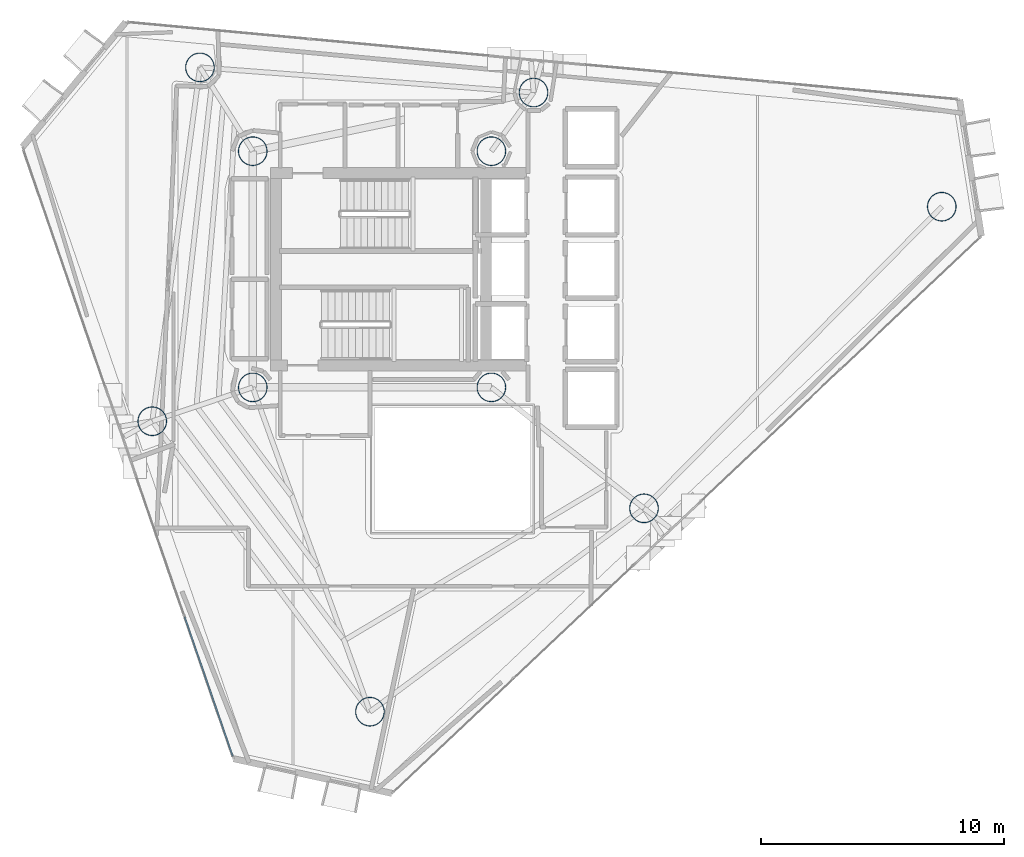
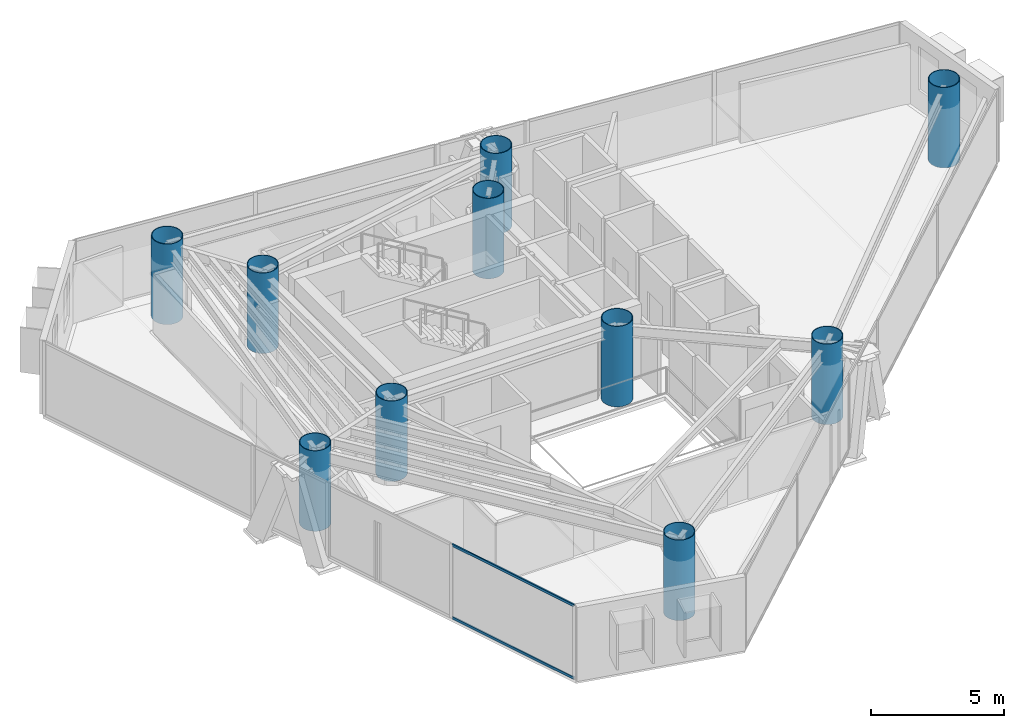
# One storey, part 1 of 20: 10 columns, 2 members, 1 element without a shape of its own.
"""IFC4 building model written with IfcOpenShell, lengths in metres."""

from ifc_helpers import new_model, si_unit, direction, frame, origin, origin_2d, place, context, subcontext, project, spatial, hollow_rectangle, hollow_circle, extrude, material, layer, layer_set, material_profile, profile_set, type_object, element, aggregate, save


model = new_model("IFC4")

# Units and contexts
model_context = context("Model", 3, precision=1e-05, world=origin(), true_north=direction((0.0, 1.0)))
body_context = subcontext(model_context, "Body", "Model", "MODEL_VIEW")
ifc_project = project(units=[si_unit("LENGTHUNIT", "METRE"), si_unit("AREAUNIT", "SQUARE_METRE"), si_unit("VOLUMEUNIT", "CUBIC_METRE"), si_unit("PLANEANGLEUNIT", "RADIAN"), si_unit("MASSUNIT", "GRAM", prefix="KILO")], contexts=[model_context])

# Site, building, storey
site_placement = place(None, origin())
site = spatial("IfcSite", under=ifc_project, at=site_placement, CompositionType="ELEMENT")
building_placement = place(site_placement, origin())
building = spatial("IfcBuilding", under=site, at=building_placement, Name="Qianvela Tower", CompositionType="ELEMENT")
storey_placement = place(building_placement, frame((0.0, 0.0, 226.199951171875)))
storey = spatial("IfcBuildingStorey", under=building, at=storey_placement, Name="L58", CompositionType="ELEMENT", Elevation=226.199951171875)

# Columns
ifc_material_1 = material(Name="Steel Q420GJC", Category="steel")
ifc_material_profile_1 = material_profile(ifc_material_1, hollow_circle(Radius=0.60009765625, WallThickness=0.030029296875, at=origin_2d()), Name="CFT-1200x30")
ifc_profile_set_1 = profile_set([ifc_material_profile_1], Name="Steel Q420GJC")
column_type = type_object("IfcColumnType", Name="COL-CFT-1200x30", PredefinedType="COLUMN", material=ifc_profile_set_1)
for number, where, z_axis, x_axis, name in (
    (1, (28.60009765625, 33.550048828125, 0.0), (0.0, 0.0, 1.0), (1.0, 0.0, 0.0), "L58 Core Corner Mega-Column CC-NW"),
    (2, (28.60009765625, 23.85009765625, 0.0), (0.0, 0.0, 1.0), (1.0, 0.0, 0.0), "L58 Core Corner Mega-Column CC-SW"),
    (3, (38.39990234375, 33.550048828125, 0.0), (0.0, 0.0, 1.0), (1.0, 0.0, 0.0), "L58 Core Corner Mega-Column CC-NE"),
    (4, (38.39990234375, 23.85009765625, 0.0), (0.0, 0.0, 1.0), (1.0, 0.0, 0.0), "L58 Core Corner Mega-Column CC-SE"),
    (5, (56.89697265625, 31.27001953125, 0.0), (0.0, 0.0, 1.0), (1.0, 0.0, 0.0), "L58 Zone Z5 CFT Mega-Column C1"),
    (6, (40.131103515625, 35.9580078125, 0.0), (0.0, 0.0, 1.0), (1.0, 0.0, 0.0), "L58 Zone Z5 CFT Mega-Column C2"),
    (7, (26.430908203125, 36.991943359375, 0.0), (0.0, 0.0, 1.0), (1.0, 0.0, 0.0), "L58 Zone Z5 CFT Mega-Column C3"),
    (8, (24.471923828125, 22.4599609375, 0.0), (0.0, 0.0, 1.0), (1.0, 0.0, 0.0), "L58 Zone Z5 CFT Mega-Column C4"),
    (9, (33.4130859375, 10.531005859375, 0.0), (0.0, 0.0, 1.0), (1.0, 0.0, 0.0), "L58 Zone Z5 CFT Mega-Column C5"),
    (10, (44.6669921875, 18.883056640625, 0.0), (0.0, 0.0, 1.0), (1.0, 0.0, 0.0), "L58 Zone Z5 CFT Mega-Column C6"),
):
    element("IfcColumn", number, at=place(storey_placement, frame(where, z_axis=z_axis, x_axis=x_axis)), inside=storey, type_object=column_type, Name=name, PredefinedType="COLUMN", context=body_context, shape_type="SweptSolid", body=[
        extrude(hollow_circle(Radius=0.60009765625, WallThickness=0.030029296875, at=origin_2d()), origin(), (0.0, 0.0, 1.0), 3.699951171875),
    ])

# Curtain wall, members
ifc_material_2 = material(Name="Anodised Architectural Aluminium and Low-E Glass", Category="aluminium")
ifc_layer = layer(ifc_material_2, 0.159912109375)
ifc_layer_set = layer_set([ifc_layer], Name="Anodised Architectural Aluminium and Low-E Glass")
curtain_wall_type = type_object("IfcCurtainWallType", Name="CW-COLIV-Z56", PredefinedType="USERDEFINED", material=ifc_layer_set)
curtain_wall_placement = place(storey_placement, origin())
curtain_wall = element("IfcCurtainWall", 11, at=curtain_wall_placement, inside=storey, type_object=curtain_wall_type, Name="L58 CW-COLIV-Z56 Curtain Wall 04C", ObjectType="CURTAIN_WALL_SYSTEM", PredefinedType="USERDEFINED")
ifc_material_3 = material(Name="Anodised Architectural Aluminium 6063-T6", Category="aluminium")
ifc_material_profile_2 = material_profile(ifc_material_3, hollow_rectangle(XDim=0.06005859375, YDim=0.114990234375, WallThickness=0.00390625, at=origin_2d()), Name="ALU-TRAN-60x115")
ifc_profile_set_2 = profile_set([ifc_material_profile_2], Name="Anodised Architectural Aluminium 6063-T6")
member_type = type_object("IfcMemberType", Name="CW-COLIV-Z56-TRAN", PredefinedType="USERDEFINED", material=ifc_profile_set_2)
member_1_placement = place(storey_placement, frame((25.80126953125, 14.427978515625, 0.030029296875), z_axis=(0.326260271847, -0.945279977051, 0.0), x_axis=(0.945279977051, 0.326260271847, 0.0)))
member_1 = element("IfcMember", 12, at=member_1_placement, type_object=member_type, Name="CW-5 transom 2.1", ObjectType="TRANSOM", PredefinedType="USERDEFINED", context=body_context, shape_type="SweptSolid", body=[
    extrude(hollow_rectangle(XDim=0.06005859375, YDim=0.114990234375, WallThickness=0.00390625, at=origin_2d()), origin(), (0.0, 0.0, 1.0), 6.055908203125),
])
member_2_placement = place(storey_placement, frame((25.80126953125, 14.427978515625, 3.3701171875), z_axis=(0.326260271847, -0.945279977051, 0.0), x_axis=(0.945279977051, 0.326260271847, 0.0)))
member_2 = element("IfcMember", 13, at=member_2_placement, type_object=member_type, Name="CW-5 transom 2.2", ObjectType="TRANSOM", PredefinedType="USERDEFINED", context=body_context, shape_type="SweptSolid", body=[
    extrude(hollow_rectangle(XDim=0.06005859375, YDim=0.114990234375, WallThickness=0.00390625, at=origin_2d()), origin(), (0.0, 0.0, 1.0), 6.055908203125),
])
aggregate(curtain_wall, [member_1, member_2])

save(model, "model.ifc")
